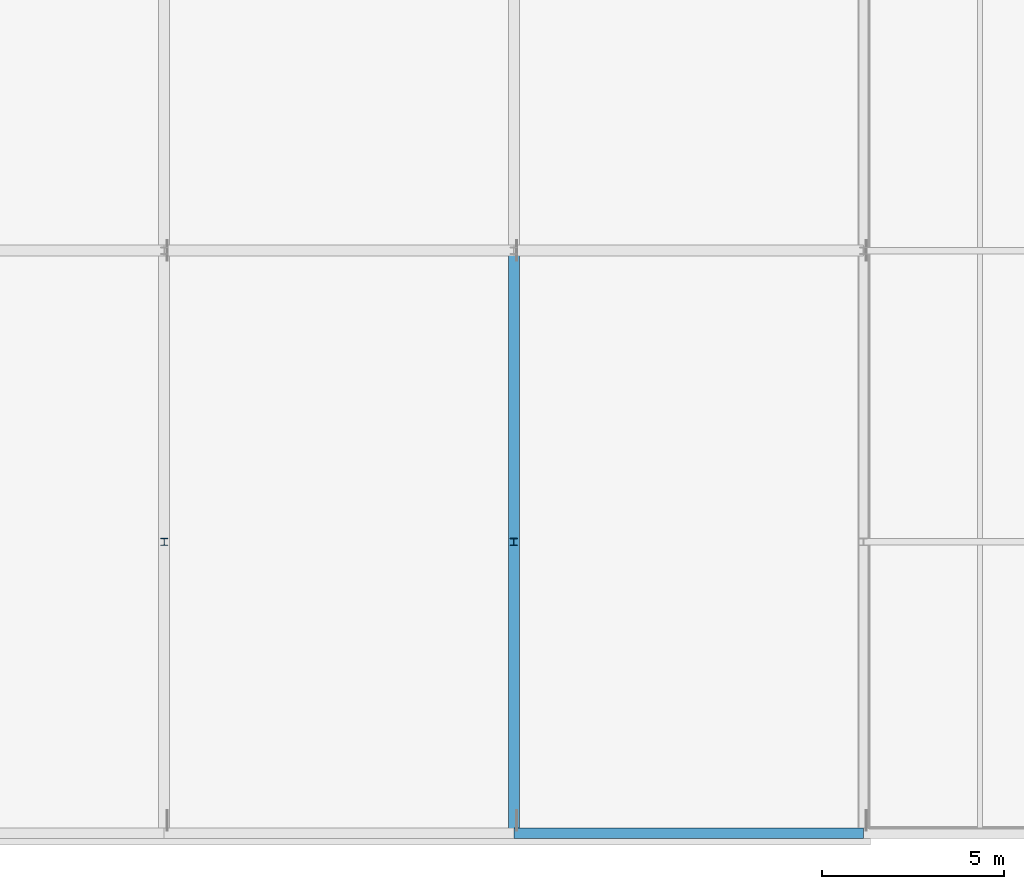
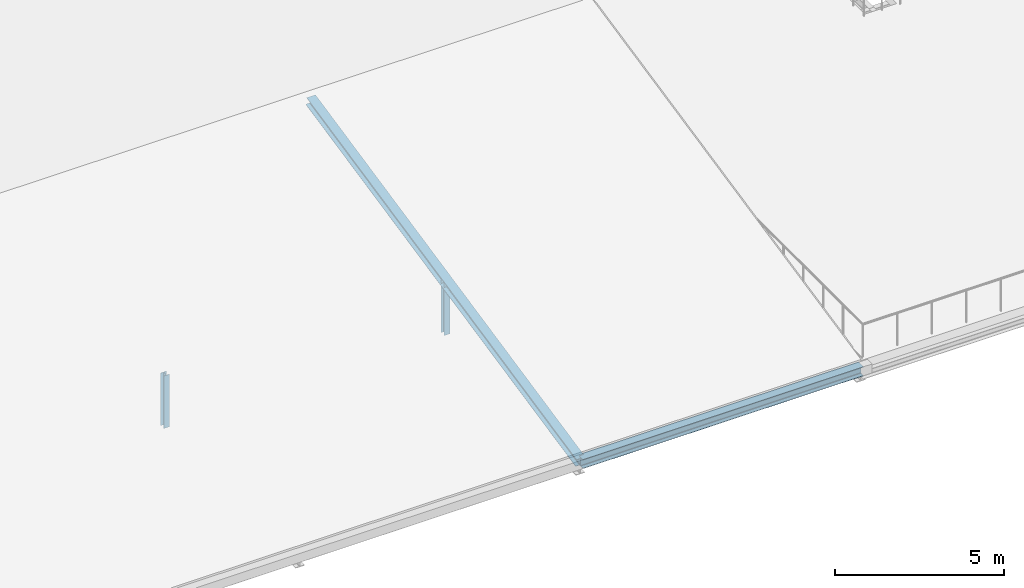
# One storey, part 31 of 85: 3 members, 1 beam.
"""IFC4 building model written with IfcOpenShell, lengths in metres."""

from ifc_helpers import new_model, si_unit, direction, frame, origin, origin_2d, place, context, subcontext, project, spatial, i_section, extrude, material, material_profile, profile_set, type_object, element, save


model = new_model("IFC4")

# Units and contexts
model_context = context("Model", 3, precision=1e-05, world=origin(), true_north=direction((0.0, 1.0)))
body_context = subcontext(model_context, "Body", "Model", "MODEL_VIEW")
ifc_project = project(units=[si_unit("LENGTHUNIT", "METRE"), si_unit("AREAUNIT", "SQUARE_METRE"), si_unit("VOLUMEUNIT", "CUBIC_METRE"), si_unit("PLANEANGLEUNIT", "RADIAN"), si_unit("MASSUNIT", "GRAM", prefix="KILO")], contexts=[model_context])

# Site, building, storey
site_placement = place(None, origin())
site = spatial("IfcSite", under=ifc_project, at=site_placement, CompositionType="ELEMENT")
building_placement = place(site_placement, origin())
building = spatial("IfcBuilding", under=site, at=building_placement, Name="Alderhovde Museum", CompositionType="ELEMENT")
storey_placement = place(building_placement, frame((0.0, 0.0, 8.699951171875)))
storey = spatial("IfcBuildingStorey", under=building, at=storey_placement, Name="L02", CompositionType="ELEMENT", Elevation=8.699951171875)

# Beam
ifc_material_1 = material(Name="Steel S355J2", Category="steel")
ifc_material_profile_1 = material_profile(ifc_material_1, i_section(OverallWidth=0.300048828125, OverallDepth=0.330078125, WebThickness=0.009521484375, FlangeThickness=0.0166015625, FilletRadius=0.027099609375, at=origin_2d()), Name="HEA 340")
ifc_profile_set_1 = profile_set([ifc_material_profile_1], Name="Steel S355J2")
beam_type = type_object("IfcBeamType", Name="BM-HEA340", PredefinedType="BEAM", material=ifc_profile_set_1)
beam_placement = place(storey_placement, frame((86.39990234375, 0.0, -0.300048828125), z_axis=(1.0, 0.0, 0.0), x_axis=(0.0, 1.0, 0.0)))
element("IfcBeam", 1, at=beam_placement, inside=storey, type_object=beam_type, Name="Auditorium Roof Purlin Beam Y=0", PredefinedType="BEAM", context=body_context, shape_type="SweptSolid", body=[
    extrude(i_section(OverallWidth=0.300048828125, OverallDepth=0.330078125, WebThickness=0.009521484375, FlangeThickness=0.0166015625, FilletRadius=0.027099609375, at=origin_2d()), origin(), (0.0, 0.0, 1.0), 9.60009765625),
])

# Members
ifc_material_2 = material(Name="Steel S355J2", Category="steel")
ifc_material_profile_2 = material_profile(ifc_material_2, i_section(OverallWidth=0.300048828125, OverallDepth=0.2900390625, WebThickness=0.008544921875, FlangeThickness=0.013916015625, FilletRadius=0.027099609375, at=origin_2d()), Name="HEA 300")
ifc_profile_set_2 = profile_set([ifc_material_profile_2], Name="Steel S355J2")
member_type_1 = type_object("IfcMemberType", Name="TR-CH-HEA300", PredefinedType="CHORD", material=ifc_profile_set_2)
member_placement = place(storey_placement, frame((86.39990234375, 0.0, -0.300048828125), z_axis=(0.0, 0.9781570301, 0.207867324191), x_axis=(-1.0, 0.0, 0.0)))
element("IfcMember", 2, at=member_placement, inside=storey, type_object=member_type_1, Name="Auditorium Roof Truss X=86.4 South Rafter", PredefinedType="CHORD", context=body_context, shape_type="SweptSolid", body=[
    extrude(i_section(OverallWidth=0.300048828125, OverallDepth=0.2900390625, WebThickness=0.008544921875, FlangeThickness=0.013916015625, FilletRadius=0.027099609375, at=origin_2d()), origin(), (0.0, 0.0, 1.0), 16.357177734375),
])
ifc_material_3 = material(Name="Steel S355J2", Category="steel")
ifc_material_profile_3 = material_profile(ifc_material_3, i_section(OverallWidth=0.199951171875, OverallDepth=0.18994140625, WebThickness=0.006591796875, FlangeThickness=0.010009765625, FilletRadius=0.01806640625, at=origin_2d()), Name="HEA 200")
ifc_profile_set_3 = profile_set([ifc_material_profile_3], Name="Steel S355J2")
member_type_2 = type_object("IfcMemberType", Name="TR-PS-HEA200", PredefinedType="POST", material=ifc_profile_set_3)
for number, where, z_axis, x_axis, name in (
    (3, (76.800048828125, 8.0, -0.5), (0.0, 0.0, 1.0), (1.0, 0.0, 0.0), "Auditorium Roof Truss X=76.8 Post P1"),
    (4, (86.39990234375, 8.0, -0.5), (0.0, 0.0, 1.0), (1.0, 0.0, 0.0), "Auditorium Roof Truss X=86.4 Post P1"),
):
    element("IfcMember", number, at=place(storey_placement, frame(where, z_axis=z_axis, x_axis=x_axis)), inside=storey, type_object=member_type_2, Name=name, PredefinedType="POST", context=body_context, shape_type="SweptSolid", body=[
        extrude(i_section(OverallWidth=0.199951171875, OverallDepth=0.18994140625, WebThickness=0.006591796875, FlangeThickness=0.010009765625, FilletRadius=0.01806640625, at=origin_2d()), origin(), (0.0, 0.0, 1.0), 1.900146484375),
    ])

save(model, "model.ifc")
